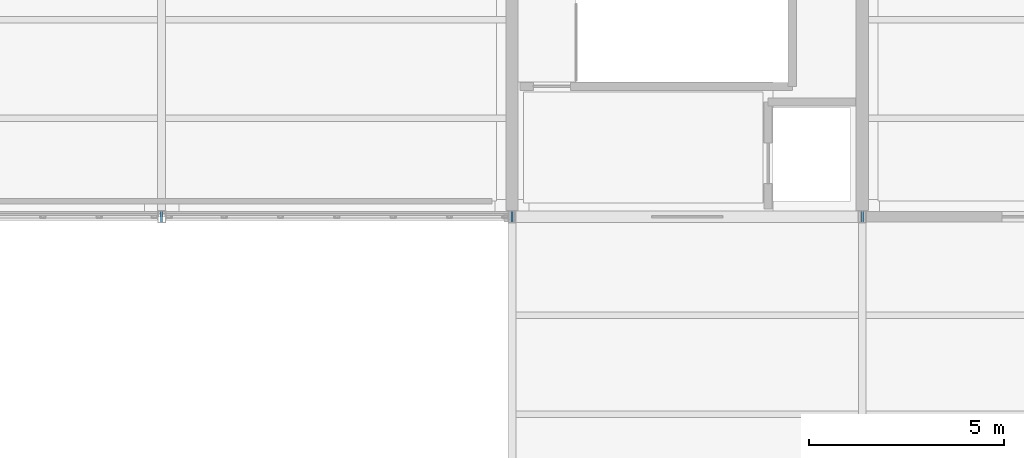
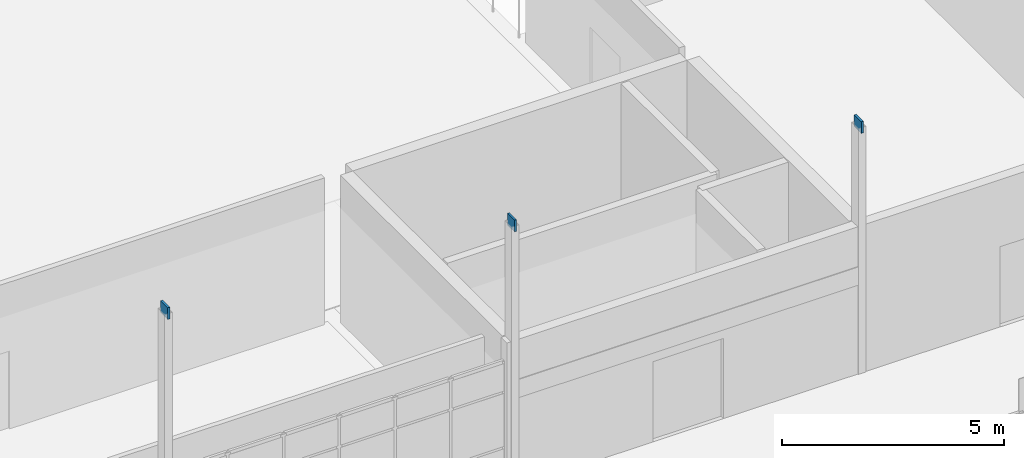
# One storey, part 140 of 166: 3 plates.
"""IFC4 building model written with IfcOpenShell, lengths in metres."""

from ifc_helpers import new_model, si_unit, direction, frame, origin, origin_2d, place, context, subcontext, project, spatial, rectangle, extrude, material, layer, layer_set, type_object, element, save


model = new_model("IFC4")

# Units and contexts
model_context = context("Model", 3, precision=1e-05, world=origin(), true_north=direction((0.0, 1.0)))
body_context = subcontext(model_context, "Body", "Model", "MODEL_VIEW")
ifc_project = project(units=[si_unit("LENGTHUNIT", "METRE"), si_unit("AREAUNIT", "SQUARE_METRE"), si_unit("VOLUMEUNIT", "CUBIC_METRE"), si_unit("PLANEANGLEUNIT", "RADIAN"), si_unit("MASSUNIT", "GRAM", prefix="KILO")], contexts=[model_context])

# Site, building, storey
site_placement = place(None, origin())
site = spatial("IfcSite", under=ifc_project, at=site_placement, CompositionType="ELEMENT")
building_placement = place(site_placement, origin())
building = spatial("IfcBuilding", under=site, at=building_placement, Name="Caisbarro Railhouse Central Library", CompositionType="ELEMENT")
storey_placement = place(building_placement, frame((0.0, 0.0, 9.360107421875)))
storey = spatial("IfcBuildingStorey", under=building, at=storey_placement, Name="L02", CompositionType="ELEMENT", Elevation=9.360107421875)

# Plates
ifc_material = material(Name="Steel ASTM A572 Grade 50", Category="steel")
ifc_layer = layer(ifc_material, 0.054931640625, Name="Steel ASTM A572 Grade 50")
ifc_layer_set = layer_set([ifc_layer], Name="Steel ASTM A572 Grade 50")
plate_type = type_object("IfcPlateType", Name="PLT-EP02", PredefinedType="SHEET", material=ifc_layer_set)
for number, where, z_axis, x_axis, name in (
    (1, (45.0, 30.39990234375, 7.7919921875), (0.0, 0.0, 1.0), (1.0, 0.0, 0.0), "EP02 end cap plate"),
    (2, (54.0, 30.39990234375, 7.0419921875), (0.0, 0.0, 1.0), (1.0, 0.0, 0.0), "EP02 end cap plate"),
    (3, (63.0, 30.39990234375, 6.591796875), (0.0, 0.0, 1.0), (1.0, 0.0, 0.0), "EP02 end cap plate"),
):
    element("IfcPlate", number, at=place(storey_placement, frame(where, z_axis=z_axis, x_axis=x_axis)), inside=storey, type_object=plate_type, Name=name, PredefinedType="SHEET", context=body_context, shape_type="SweptSolid", body=[
        extrude(rectangle(XDim=0.054931640625, YDim=0.320068359375, at=origin_2d()), origin(), (0.0, 0.0, 1.0), 0.320068359375),
    ])

save(model, "model.ifc")
